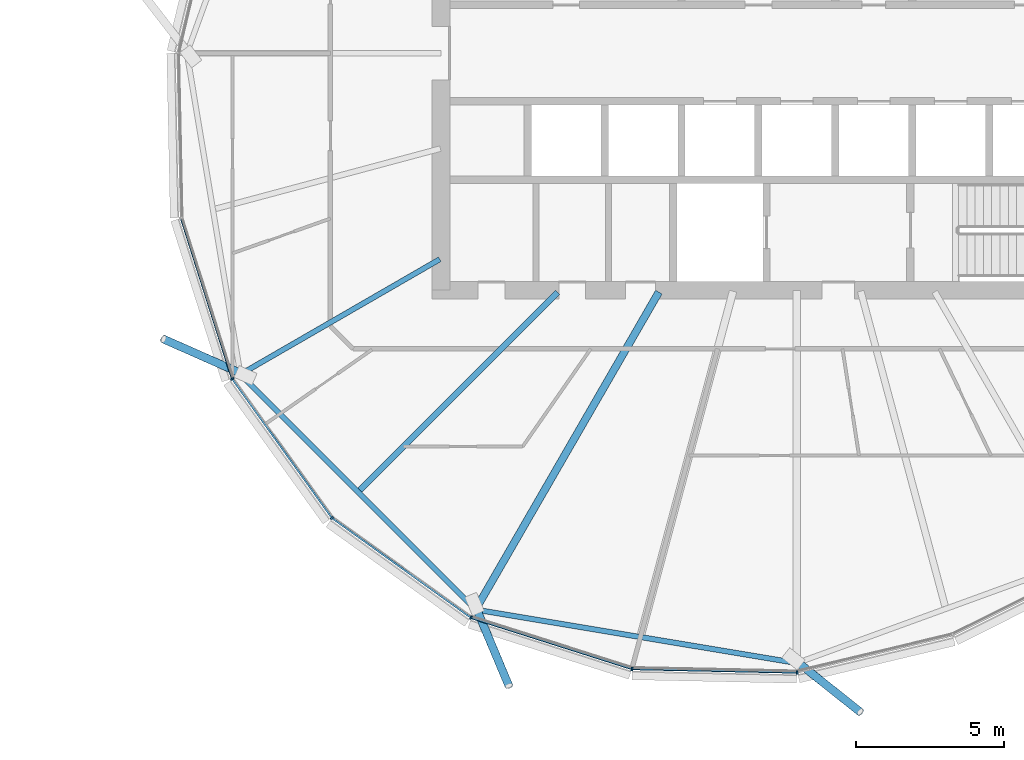
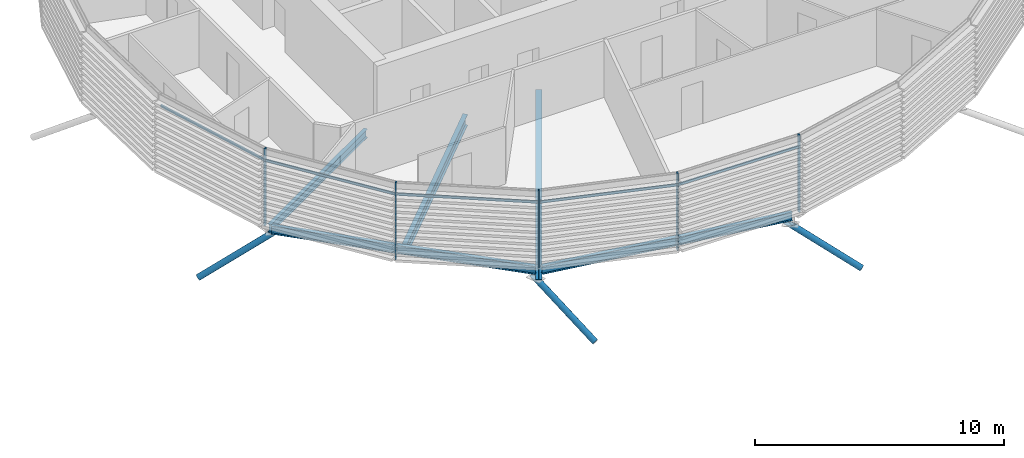
# One storey, part 11 of 37: 13 members, 5 beams, 1 element without a shape of its own.
"""IFC4 building model written with IfcOpenShell, lengths in metres."""

from ifc_helpers import new_model, si_unit, direction, frame, origin, origin_2d, place, context, subcontext, project, spatial, rectangle, hollow_circle, i_section, extrude, clip, halfspace, material, material_profile, profile_set, type_object, element, aggregate, save


model = new_model("IFC4")

# Units and contexts
model_context = context("Model", 3, precision=1e-05, world=origin(), true_north=direction((0.0, 1.0)))
body_context = subcontext(model_context, "Body", "Model", "MODEL_VIEW")
ifc_project = project(units=[si_unit("LENGTHUNIT", "METRE"), si_unit("AREAUNIT", "SQUARE_METRE"), si_unit("VOLUMEUNIT", "CUBIC_METRE"), si_unit("PLANEANGLEUNIT", "RADIAN"), si_unit("MASSUNIT", "GRAM", prefix="KILO")], contexts=[model_context])

# Site, building, storey
site_placement = place(None, origin())
site = spatial("IfcSite", under=ifc_project, at=site_placement, CompositionType="ELEMENT")
building_placement = place(site_placement, origin())
building = spatial("IfcBuilding", under=site, at=building_placement, Name="Rimbun Link Towers", CompositionType="ELEMENT")
storey_placement = place(building_placement, frame((0.0, 0.0, 177.89990234375)))
storey = spatial("IfcBuildingStorey", under=building, at=storey_placement, Name="L43", CompositionType="ELEMENT", Elevation=177.89990234375)

# Curtain wall, members
ifc_material_1 = material(Name="Aluminium 6063-T6 and low-iron glass", Category="aluminium")
curtain_wall_type = type_object("IfcCurtainWallType", Name="CW1-Z3 unitised vision wall (zone 3)", PredefinedType="NOTDEFINED", material=ifc_material_1)
curtain_wall_placement = place(storey_placement, origin())
curtain_wall = element("IfcCurtainWall", 1, at=curtain_wall_placement, inside=storey, type_object=curtain_wall_type, Name="CW1 L43 T2", PredefinedType="NOTDEFINED")
ifc_material_2 = material(Name="Aluminium 6063-T6", Category="aluminium")
ifc_material_profile_1 = material_profile(ifc_material_2, rectangle(XDim=0.1201171875, YDim=0.06005859375, at=origin_2d()), Name="MULLION 60X120")
ifc_profile_set_1 = profile_set([ifc_material_profile_1], Name="Aluminium 6063-T6")
member_type_1 = type_object("IfcMemberType", Name="CW1 mullion 60X120", PredefinedType="MULLION", material=ifc_profile_set_1)
member_1_placement = place(storey_placement, frame((12.702392578125, -10.9931640625, 0.0), z_axis=(0.0, 0.0, 1.0), x_axis=(-0.893745750759, -0.448573888006, 0.0)))
member_1 = element("IfcMember", 2, at=member_1_placement, type_object=member_type_1, Name="CW1 mullion", PredefinedType="MULLION", context=body_context, shape_type="SweptSolid", body=[
    extrude(rectangle(XDim=0.1201171875, YDim=0.06005859375, at=origin_2d()), origin(), (0.0, 0.0, 1.0), 3.800048828125),
])
member_2_placement = place(storey_placement, frame((16.0673828125, -15.6826171875, 0.0), z_axis=(0.0, 0.0, 1.0), x_axis=(-0.707106781187, -0.707106781187, 0.0)))
member_2 = element("IfcMember", 3, at=member_2_placement, type_object=member_type_1, Name="CW1 mullion", PredefinedType="MULLION", context=body_context, shape_type="SweptSolid", body=[
    extrude(rectangle(XDim=0.1201171875, YDim=0.06005859375, at=origin_2d()), origin(), (0.0, 0.0, 1.0), 3.800048828125),
])
member_3_placement = place(storey_placement, frame((20.7568359375, -19.047607421875, 0.0), z_axis=(0.0, 0.0, 1.0), x_axis=(-0.448573888006, -0.893745750759, 0.0)))
member_3 = element("IfcMember", 4, at=member_3_placement, type_object=member_type_1, Name="CW1 mullion", PredefinedType="MULLION", context=body_context, shape_type="SweptSolid", body=[
    extrude(rectangle(XDim=0.1201171875, YDim=0.06005859375, at=origin_2d()), origin(), (0.0, 0.0, 1.0), 3.800048828125),
])
member_4_placement = place(storey_placement, frame((26.189208984375, -20.775390625, 0.0), z_axis=(0.0, 0.0, 1.0), x_axis=(-0.163742714165, -0.986503078332, 0.0)))
member_4 = element("IfcMember", 5, at=member_4_placement, type_object=member_type_1, Name="CW1 mullion", PredefinedType="MULLION", context=body_context, shape_type="SweptSolid", body=[
    extrude(rectangle(XDim=0.1201171875, YDim=0.06005859375, at=origin_2d()), origin(), (0.0, 0.0, 1.0), 3.800048828125),
])
member_5_placement = place(storey_placement, frame((31.75634765625, -20.892822265625, 0.0), z_axis=(0.0, 0.0, 1.0), x_axis=(0.106640847711, -0.994297606152, 0.0)))
member_5 = element("IfcMember", 6, at=member_5_placement, type_object=member_type_1, Name="CW1 mullion", PredefinedType="MULLION", context=body_context, shape_type="SweptSolid", body=[
    extrude(rectangle(XDim=0.1201171875, YDim=0.06005859375, at=origin_2d()), origin(), (0.0, 0.0, 1.0), 3.800048828125),
])
ifc_material_3 = material(Name="Aluminium 6063-T6", Category="aluminium")
ifc_material_profile_2 = material_profile(ifc_material_3, rectangle(XDim=0.06005859375, YDim=0.1201171875, at=origin_2d()), Name="TRANSOM 60X120")
ifc_profile_set_2 = profile_set([ifc_material_profile_2], Name="Aluminium 6063-T6")
member_type_2 = type_object("IfcMemberType", Name="CW1 transom 60X120", PredefinedType="USERDEFINED", material=ifc_profile_set_2)
member_6_placement = place(storey_placement, frame((12.691650390625, -10.955078125, 3.2001953125), z_axis=(-0.303092531444, 0.952961131098, 0.0), x_axis=(-0.952961131098, -0.303092531444, 0.0)))
member_6 = element("IfcMember", 7, at=member_6_placement, type_object=member_type_2, Name="CW1 transom", ObjectType="TRANSOM", PredefinedType="USERDEFINED", context=body_context, shape_type="SweptSolid", body=[
    extrude(rectangle(XDim=0.06005859375, YDim=0.1201171875, at=origin_2d()), origin(), (0.0, 0.0, 1.0), 5.622314453125),
])
member_7_placement = place(storey_placement, frame((16.045166015625, -15.649658203125, 3.2001953125), z_axis=(-0.582993430293, 0.812476867508, 0.0), x_axis=(-0.812476867508, -0.582993430293, 0.0)))
member_7 = element("IfcMember", 8, at=member_7_placement, type_object=member_type_2, Name="CW1 transom", ObjectType="TRANSOM", PredefinedType="USERDEFINED", context=body_context, shape_type="SweptSolid", body=[
    extrude(rectangle(XDim=0.06005859375, YDim=0.1201171875, at=origin_2d()), origin(), (0.0, 0.0, 1.0), 5.69287109375),
])
member_8_placement = place(storey_placement, frame((20.7255859375, -19.023681640625, 3.2001953125), z_axis=(-0.812476867508, 0.582993430293, 0.0), x_axis=(-0.582993430293, -0.812476867508, 0.0)))
member_8 = element("IfcMember", 9, at=member_8_placement, type_object=member_type_2, Name="CW1 transom", ObjectType="TRANSOM", PredefinedType="USERDEFINED", context=body_context, shape_type="SweptSolid", body=[
    extrude(rectangle(XDim=0.06005859375, YDim=0.1201171875, at=origin_2d()), origin(), (0.0, 0.0, 1.0), 5.69287109375),
])
member_9_placement = place(storey_placement, frame((26.15283203125, -20.762451171875, 3.2001953125), z_axis=(-0.952961131098, 0.303092531444, 0.0), x_axis=(-0.303092531444, -0.952961131098, 0.0)))
member_9 = element("IfcMember", 10, at=member_9_placement, type_object=member_type_2, Name="CW1 transom", ObjectType="TRANSOM", PredefinedType="USERDEFINED", context=body_context, shape_type="SweptSolid", body=[
    extrude(rectangle(XDim=0.06005859375, YDim=0.1201171875, at=origin_2d()), origin(), (0.0, 0.0, 1.0), 5.622314453125),
])
member_10_placement = place(storey_placement, frame((31.71875, -20.890380859375, 3.2001953125), z_axis=(-0.999778929537, 0.021025985224, 0.0), x_axis=(-0.021025985224, -0.999778929537, 0.0)))
member_10 = element("IfcMember", 11, at=member_10_placement, type_object=member_type_2, Name="CW1 transom", ObjectType="TRANSOM", PredefinedType="USERDEFINED", context=body_context, shape_type="SweptSolid", body=[
    extrude(rectangle(XDim=0.06005859375, YDim=0.1201171875, at=origin_2d()), origin(), (0.0, 0.0, 1.0), 5.4921875),
])
aggregate(curtain_wall, [member_1, member_2, member_3, member_4, member_5, member_6, member_7, member_8, member_9, member_10])

# Members
ifc_material_4 = material(Name="Steel S355J2H", Category="steel")
ifc_material_profile_3 = material_profile(ifc_material_4, hollow_circle(Radius=0.136474609375, WallThickness=0.012451171875, at=origin_2d()), Name="CHS 273x12.5")
ifc_profile_set_3 = profile_set([ifc_material_profile_3], Name="Steel S355J2H")
member_type_3 = type_object("IfcMemberType", Name="Floor edge link CHS 273x12.5", PredefinedType="BRACE", material=ifc_profile_set_3)
member_11_placement = place(storey_placement, frame((13.02099609375, -10.813232421875, -0.670654296875), z_axis=(-0.765627724118, 0.338537106569, -0.54699800323), x_axis=(-0.404400182859, -0.914582140709, 0.0)))
element("IfcMember", 12, at=member_11_placement, inside=storey, type_object=member_type_3, Name="Floor edge link T2 L43 11", PredefinedType="BRACE", context=body_context, shape_type="Clipping", body=[
    clip(extrude(hollow_circle(Radius=0.136474609375, WallThickness=0.012451171875, at=origin_2d()), frame((0.0, 0.0, -0.43603515625)), (0.0, 0.0, 1.0), 3.893310546875), halfspace(frame((0.0, 0.0, -0.205322265625), z_axis=(0.0, 0.837133910711, -0.54699800323)), False)),
])
member_12_placement = place(storey_placement, frame((20.936767578125, -18.72900390625, -0.94970703125), z_axis=(0.329272270989, -0.784155275396, -0.526004064268), x_axis=(0.922012723961, 0.387159575438, 0.0)))
element("IfcMember", 13, at=member_12_placement, inside=storey, type_object=member_type_3, Name="Floor edge link T2 L43 13", PredefinedType="BRACE", context=body_context, shape_type="Clipping", body=[
    clip(extrude(hollow_circle(Radius=0.136474609375, WallThickness=0.012451171875, at=origin_2d()), frame((0.0, 0.0, -0.46044921875)), (0.0, 0.0, 1.0), 3.807373046875), halfspace(frame((0.0, 0.0, -0.21728515625), z_axis=(0.0, 0.850482054116, -0.526004064268)), False)),
])
member_13_placement = place(storey_placement, frame((31.75, -20.526123046875, -0.948486328125), z_axis=(0.659073613292, -0.524539667383, -0.538962066944), x_axis=(0.622724638386, 0.782441067907, 0.0)))
element("IfcMember", 14, at=member_13_placement, inside=storey, type_object=member_type_3, Name="Floor edge link T2 L43 15", PredefinedType="BRACE", context=body_context, shape_type="Clipping", body=[
    clip(extrude(hollow_circle(Radius=0.136474609375, WallThickness=0.012451171875, at=origin_2d()), frame((0.0, 0.0, -0.4453125)), (0.0, 0.0, 1.0), 3.6953125), halfspace(frame((0.0, 0.0, -0.209716796875), z_axis=(0.0, 0.842330036503, -0.538962066944)), False)),
])

# Beams
ifc_material_5 = material(Name="Steel S355J2", Category="steel")
ifc_material_profile_4 = material_profile(ifc_material_5, i_section(OverallWidth=0.177978515625, OverallDepth=0.406494140625, WebThickness=0.0078125, FlangeThickness=0.0126953125, at=origin_2d()), Name="UB 406x178x60")
ifc_profile_set_4 = profile_set([ifc_material_profile_4], Name="Steel S355J2")
beam_type_1 = type_object("IfcBeamType", Name="UB 406x178x60", PredefinedType="BEAM", material=ifc_profile_set_4)
beam_1_placement = place(storey_placement, frame((19.70458984375, -6.954345703125, -0.35302734375), z_axis=(-0.86602961347, -0.499992708539, 0.0), x_axis=(0.499992708539, -0.86602961347, 0.0)))
element("IfcBeam", 15, at=beam_1_placement, inside=storey, type_object=beam_type_1, Name="Radial beam T2 L43 11", PredefinedType="BEAM", context=body_context, shape_type="SweptSolid", body=[
    extrude(i_section(OverallWidth=0.177978515625, OverallDepth=0.406494140625, WebThickness=0.0078125, FlangeThickness=0.0126953125, at=origin_2d()), origin(), (0.0, 0.0, 1.0), 7.767578125),
])
beam_2_placement = place(storey_placement, frame((13.04345703125, -10.904052734375, -0.35302734375), z_axis=(0.707106781187, -0.707106781187, 0.0), x_axis=(0.707106781187, 0.707106781187, 0.0)))
element("IfcBeam", 16, at=beam_2_placement, inside=storey, type_object=beam_type_1, Name="Edge beam T2 L43 11-13", PredefinedType="BEAM", context=body_context, shape_type="SweptSolid", body=[
    extrude(i_section(OverallWidth=0.177978515625, OverallDepth=0.406494140625, WebThickness=0.0078125, FlangeThickness=0.0126953125, at=origin_2d()), origin(), (0.0, 0.0, 1.0), 10.9951171875),
])
beam_3_placement = place(storey_placement, frame((21.04638671875, -18.794921875, -0.35302734375), z_axis=(0.986437585606, -0.164136801797, 0.0), x_axis=(0.164136801797, 0.986437585606, 0.0)))
element("IfcBeam", 17, at=beam_3_placement, inside=storey, type_object=beam_type_1, Name="Edge beam T2 L43 13-15", PredefinedType="BEAM", context=body_context, shape_type="SweptSolid", body=[
    extrude(i_section(OverallWidth=0.177978515625, OverallDepth=0.406494140625, WebThickness=0.0078125, FlangeThickness=0.0126953125, at=origin_2d()), origin(), (0.0, 0.0, 1.0), 10.721435546875),
])
ifc_material_6 = material(Name="Steel S355J2", Category="steel")
ifc_material_profile_5 = material_profile(ifc_material_6, i_section(OverallWidth=0.209228515625, OverallDepth=0.533203125, WebThickness=0.010009765625, FlangeThickness=0.015625, at=origin_2d()), Name="UB 533x210x92")
ifc_profile_set_5 = profile_set([ifc_material_profile_5], Name="Steel S355J2")
beam_type_2 = type_object("IfcBeamType", Name="UB 533x210x92", PredefinedType="BEAM", material=ifc_profile_set_5)
beam_4_placement = place(storey_placement, frame((23.67529296875, -8.07470703125, -0.41650390625), z_axis=(-0.707106781187, -0.707106781187, 0.0), x_axis=(0.707106781187, -0.707106781187, 0.0)))
element("IfcBeam", 18, at=beam_4_placement, inside=storey, type_object=beam_type_2, Name="Radial beam T2 L43 12", PredefinedType="BEAM", context=body_context, shape_type="SweptSolid", body=[
    extrude(i_section(OverallWidth=0.209228515625, OverallDepth=0.533203125, WebThickness=0.010009765625, FlangeThickness=0.015625, at=origin_2d()), origin(), (0.0, 0.0, 1.0), 9.428466796875),
])
ifc_material_7 = material(Name="Steel S355J2", Category="steel")
ifc_material_profile_6 = material_profile(ifc_material_7, i_section(OverallWidth=0.253662109375, OverallDepth=0.68359375, WebThickness=0.012451171875, FlangeThickness=0.01904296875, at=origin_2d()), Name="UB 686x254x140")
ifc_profile_set_6 = profile_set([ifc_material_profile_6], Name="Steel S355J2")
beam_type_3 = type_object("IfcBeamType", Name="UB 686x254x140", PredefinedType="BEAM", material=ifc_profile_set_6)
beam_5_placement = place(storey_placement, frame((27.093994140625, -8.064208984375, -0.49169921875), z_axis=(-0.49998281943, -0.866035322764, 0.0), x_axis=(0.866035322764, -0.49998281943, 0.0)))
element("IfcBeam", 19, at=beam_5_placement, inside=storey, type_object=beam_type_3, Name="Radial beam T2 L43 13", PredefinedType="BEAM", context=body_context, shape_type="SweptSolid", body=[
    extrude(i_section(OverallWidth=0.253662109375, OverallDepth=0.68359375, WebThickness=0.012451171875, FlangeThickness=0.01904296875, at=origin_2d()), origin(), (0.0, 0.0, 1.0), 12.36474609375),
])

save(model, "model.ifc")
